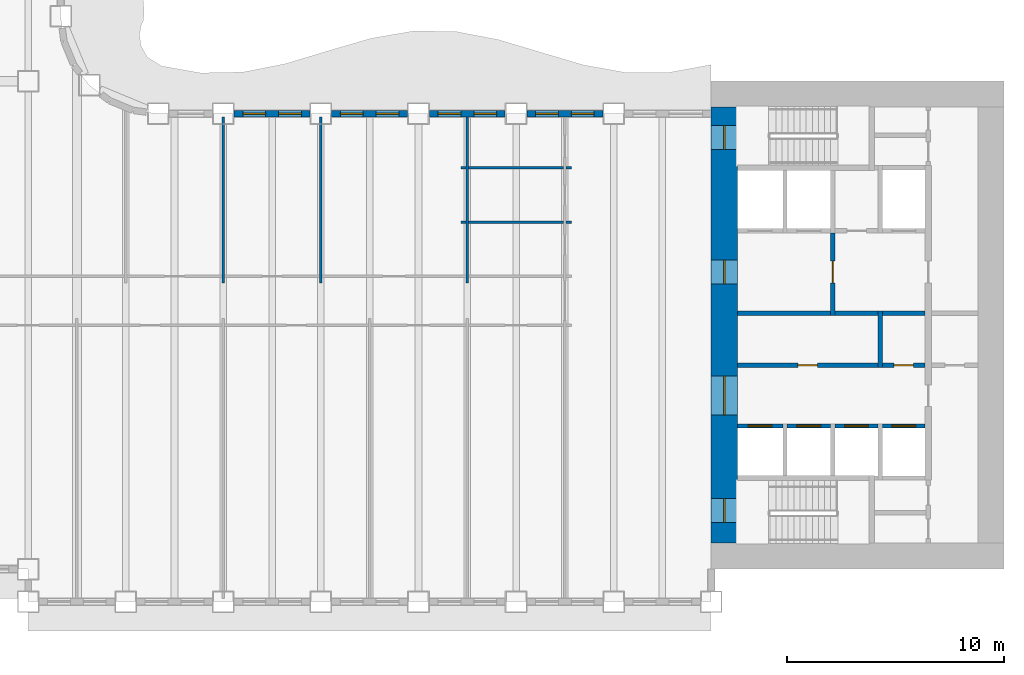
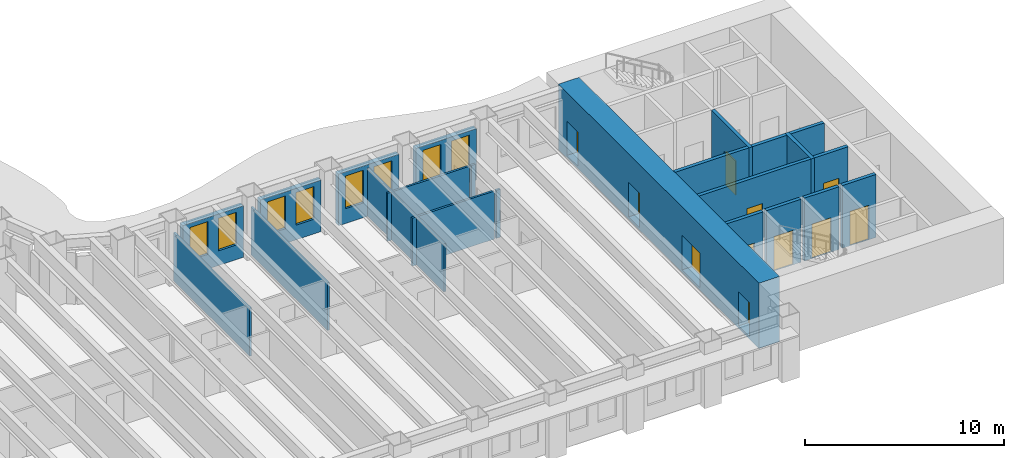
# One storey, part 6 of 16: 25 walls, 11 doors, 8 windows, 19 openings.
"""IFC4 building model written with IfcOpenShell, lengths in metres."""

from ifc_helpers import new_model, si_unit, direction, frame, frame_2d, origin, place, context, subcontext, project, spatial, rectangle, extrude, material, layer, layer_set, type_object, element, fill, save


model = new_model("IFC4")

# Units and contexts
model_context = context("Model", 3, precision=1e-05, world=origin(), true_north=direction((0.0, 1.0)))
body_context = subcontext(model_context, "Body", "Model", "MODEL_VIEW")
ifc_project = project(units=[si_unit("LENGTHUNIT", "METRE"), si_unit("AREAUNIT", "SQUARE_METRE"), si_unit("VOLUMEUNIT", "CUBIC_METRE"), si_unit("PLANEANGLEUNIT", "RADIAN"), si_unit("MASSUNIT", "GRAM", prefix="KILO")], contexts=[model_context])

# Site, building, storey
site_placement = place(None, origin())
site = spatial("IfcSite", under=ifc_project, at=site_placement, CompositionType="ELEMENT")
building_placement = place(site_placement, origin())
building = spatial("IfcBuilding", under=site, at=building_placement, Name="Sennacour Bend Tower", CompositionType="ELEMENT")
storey_placement = place(building_placement, frame((0.0, 0.0, 123.0)))
storey = spatial("IfcBuildingStorey", under=building, at=storey_placement, Name="L28", CompositionType="ELEMENT", Elevation=123.0)

# Wall, openings, doors
ifc_material_1 = material(Name="Concrete C80/95", Category="concrete")
ifc_layer_1 = layer(ifc_material_1, 1.199951171875, Name="Concrete C80/95", Category="concrete")
ifc_layer_set_1 = layer_set([ifc_layer_1], Name="Concrete C80/95")
wall_type_1 = type_object("IfcWallType", Name="Core wall 1200 C80/95", PredefinedType="SHEAR", material=ifc_layer_set_1)
wall_1_placement = place(storey_placement, frame((54.60009765625, 1.199951171875, -0.14990234375), z_axis=(0.0, 0.0, 1.0), x_axis=(0.0, 1.0, 0.0)))
wall_1 = element("IfcWall", 1, at=wall_1_placement, inside=storey, type_object=wall_type_1, Name="Core A wall L28 W", PredefinedType="SHEAR", context=body_context, shape_type="SweptSolid", body=[
    extrude(rectangle(XDim=20.10009765625, YDim=1.199951171875, at=frame_2d((10.050048828125, 0.0))), origin(), (0.0, 0.0, 1.0), 4.0),
])
opening_1_placement = place(wall_1_placement, frame((5.89990234375, 0.0, 0.14990234375)))
opening_1 = element("IfcOpeningElement", 2, at=opening_1_placement, cuts=wall_1, Name="Opening CD", PredefinedType="OPENING", context=body_context, shape_type="SweptSolid", body=[
    extrude(rectangle(XDim=1.800048828125, YDim=2.10009765625, at=frame_2d((0.89990234375, 1.050048828125))), frame((0.0, 0.60986328125, 0.0), z_axis=(0.0, -1.0, 0.0), x_axis=(1.0, 0.0, 0.0)), (0.0, 0.0, 1.0), 1.219970703125),
])
opening_2_placement = place(wall_1_placement, frame((11.949951171875, 0.0, 0.14990234375)))
opening_2 = element("IfcOpeningElement", 3, at=opening_2_placement, cuts=wall_1, Name="Opening FD", PredefinedType="OPENING", context=body_context, shape_type="SweptSolid", body=[
    extrude(rectangle(XDim=1.10009765625, YDim=2.10009765625, at=frame_2d((0.550048828125, 1.050048828125))), frame((0.0, 0.60986328125, 0.0), z_axis=(0.0, -1.0, 0.0), x_axis=(1.0, 0.0, 0.0)), (0.0, 0.0, 1.0), 1.219970703125),
])
opening_3_placement = place(wall_1_placement, frame((0.949951171875, 0.0, 0.14990234375)))
opening_3 = element("IfcOpeningElement", 4, at=opening_3_placement, cuts=wall_1, Name="Opening SD", PredefinedType="OPENING", context=body_context, shape_type="SweptSolid", body=[
    extrude(rectangle(XDim=1.10009765625, YDim=2.10009765625, at=frame_2d((0.550048828125, 1.050048828125))), frame((0.0, 0.60986328125, 0.0), z_axis=(0.0, -1.0, 0.0), x_axis=(1.0, 0.0, 0.0)), (0.0, 0.0, 1.0), 1.219970703125),
])
opening_4_placement = place(wall_1_placement, frame((18.14990234375, 0.0, 0.14990234375)))
opening_4 = element("IfcOpeningElement", 5, at=opening_4_placement, cuts=wall_1, Name="Opening SD", PredefinedType="OPENING", context=body_context, shape_type="SweptSolid", body=[
    extrude(rectangle(XDim=1.10009765625, YDim=2.10009765625, at=frame_2d((0.550048828125, 1.050048828125))), frame((0.0, 0.60986328125, 0.0), z_axis=(0.0, -1.0, 0.0), x_axis=(1.0, 0.0, 0.0)), (0.0, 0.0, 1.0), 1.219970703125),
])
ifc_material_2 = material(Name="Painted steel", Category="steel")
door_type_1 = type_object("IfcDoorType", Name="DR-FFL-1100", OperationType="NOTDEFINED", PredefinedType="DOOR", material=ifc_material_2)
door_1_placement = place(opening_2_placement, origin())
door_1 = element("IfcDoor", 6, at=door_1_placement, inside=storey, type_object=door_type_1, Name="Door", OperationType="SINGLE_SWING_RIGHT", OverallHeight=2.10009765625, OverallWidth=1.10009765625, PredefinedType="DOOR", context=body_context, shape_type="SweptSolid", body=[
    extrude(rectangle(XDim=1.10009765625, YDim=2.10009765625, at=frame_2d((0.550048828125, 1.050048828125))), frame((0.0, 0.02490234375, 0.0), z_axis=(0.0, -1.0, 0.0), x_axis=(1.0, 0.0, 0.0)), (0.0, 0.0, 1.0), 0.050048828125),
])
fill(opening_2, door_1)
door_type_2 = type_object("IfcDoorType", Name="DR-LOBBY-1800", OperationType="NOTDEFINED", PredefinedType="DOOR", material=ifc_material_2)
door_2_placement = place(opening_1_placement, origin())
door_2 = element("IfcDoor", 7, at=door_2_placement, inside=storey, type_object=door_type_2, Name="Door", OperationType="DOUBLE_DOOR_SINGLE_SWING", OverallHeight=2.10009765625, OverallWidth=1.800048828125, PredefinedType="DOOR", context=body_context, shape_type="SweptSolid", body=[
    extrude(rectangle(XDim=1.800048828125, YDim=2.10009765625, at=frame_2d((0.89990234375, 1.050048828125))), frame((0.0, 0.02490234375, 0.0), z_axis=(0.0, -1.0, 0.0), x_axis=(1.0, 0.0, 0.0)), (0.0, 0.0, 1.0), 0.050048828125),
])
fill(opening_1, door_2)
door_type_3 = type_object("IfcDoorType", Name="DR-STAIR-1100", OperationType="NOTDEFINED", PredefinedType="DOOR", material=ifc_material_2)
door_3_placement = place(opening_3_placement, origin())
door_3 = element("IfcDoor", 8, at=door_3_placement, inside=storey, type_object=door_type_3, Name="Door", OperationType="SINGLE_SWING_LEFT", OverallHeight=2.10009765625, OverallWidth=1.10009765625, PredefinedType="DOOR", context=body_context, shape_type="SweptSolid", body=[
    extrude(rectangle(XDim=1.10009765625, YDim=2.10009765625, at=frame_2d((0.550048828125, 1.050048828125))), frame((0.0, 0.02490234375, 0.0), z_axis=(0.0, -1.0, 0.0), x_axis=(1.0, 0.0, 0.0)), (0.0, 0.0, 1.0), 0.050048828125),
])
fill(opening_3, door_3)
door_4_placement = place(opening_4_placement, origin())
door_4 = element("IfcDoor", 9, at=door_4_placement, inside=storey, type_object=door_type_3, Name="Door", OperationType="SINGLE_SWING_RIGHT", OverallHeight=2.10009765625, OverallWidth=1.10009765625, PredefinedType="DOOR", context=body_context, shape_type="SweptSolid", body=[
    extrude(rectangle(XDim=1.10009765625, YDim=2.10009765625, at=frame_2d((0.550048828125, 1.050048828125))), frame((0.0, 0.02490234375, 0.0), z_axis=(0.0, -1.0, 0.0), x_axis=(1.0, 0.0, 0.0)), (0.0, 0.0, 1.0), 0.050048828125),
])
fill(opening_4, door_4)

# Walls
ifc_material_3 = material(Name="Plasterboard partition on steel studs", Category="steel")
ifc_layer_2 = layer(ifc_material_3, 0.1201171875, Name="Plasterboard partition on steel studs", Category="steel")
ifc_layer_set_2 = layer_set([ifc_layer_2], Name="Plasterboard partition on steel studs")
wall_type_2 = type_object("IfcWallType", Name="Partition 120", PredefinedType="PARTITIONING", material=ifc_layer_set_2)
for number, where, z_axis, x_axis, name in (
    (10, (31.5, 13.199951171875, 0.0), (0.0, 0.0, 1.0), (0.0, 1.0, 0.0), "P-L28-W028a"),
    (11, (36.0, 13.199951171875, 0.0), (0.0, 0.0, 1.0), (0.0, 1.0, 0.0), "P-L28-W029a"),
    (12, (42.75, 13.199951171875, 0.0), (0.0, 0.0, 1.0), (0.0, 1.0, 0.0), "P-L28-W032a"),
):
    element("IfcWall", number, at=place(storey_placement, frame(where, z_axis=z_axis, x_axis=x_axis)), inside=storey, type_object=wall_type_2, Name=name, PredefinedType="PARTITIONING", context=body_context, shape_type="SweptSolid", body=[
        extrude(rectangle(XDim=7.650146484375, YDim=0.1201171875, at=frame_2d((3.8251953125, 0.0))), origin(), (0.0, 0.0, 1.0), 2.93798828125),
    ])
wall_2_placement = place(storey_placement, frame((42.449951171875, 16.0, 0.0), z_axis=(0.0, 0.0, 1.0), x_axis=(1.0, 0.0, 0.0)))
element("IfcWall", 13, at=wall_2_placement, inside=storey, type_object=wall_type_2, Name="P-L28-W064aa", PredefinedType="PARTITIONING", context=body_context, shape_type="SweptSolid", body=[
    extrude(rectangle(XDim=0.239990234375, YDim=0.1201171875, at=frame_2d((0.1201171875, 0.0))), origin(), (0.0, 0.0, 1.0), 2.93798828125),
])
wall_3_placement = place(storey_placement, frame((42.81005859375, 16.0, 0.0), z_axis=(0.0, 0.0, 1.0), x_axis=(1.0, 0.0, 0.0)))
element("IfcWall", 14, at=wall_3_placement, inside=storey, type_object=wall_type_2, Name="P-L28-W064ab", PredefinedType="PARTITIONING", context=body_context, shape_type="SweptSolid", body=[
    extrude(rectangle(XDim=4.3798828125, YDim=0.1201171875, at=frame_2d((2.18994140625, 0.0))), origin(), (0.0, 0.0, 1.0), 2.93798828125),
])
for number, where, z_axis, x_axis, name in (
    (15, (47.31005859375, 16.0, 0.0), (0.0, 0.0, 1.0), (1.0, 0.0, 0.0), "P-L28-W064ac"),
    (16, (42.449951171875, 18.5, 0.0), (0.0, 0.0, 1.0), (1.0, 0.0, 0.0), "P-L28-W065aa"),
):
    element("IfcWall", number, at=place(storey_placement, frame(where, z_axis=z_axis, x_axis=x_axis)), inside=storey, type_object=wall_type_2, Name=name, PredefinedType="PARTITIONING", context=body_context, shape_type="SweptSolid", body=[
        extrude(rectangle(XDim=0.239990234375, YDim=0.1201171875, at=frame_2d((0.1201171875, 0.0))), origin(), (0.0, 0.0, 1.0), 2.93798828125),
    ])
wall_4_placement = place(storey_placement, frame((42.81005859375, 18.5, 0.0), z_axis=(0.0, 0.0, 1.0), x_axis=(1.0, 0.0, 0.0)))
element("IfcWall", 17, at=wall_4_placement, inside=storey, type_object=wall_type_2, Name="P-L28-W065ab", PredefinedType="PARTITIONING", context=body_context, shape_type="SweptSolid", body=[
    extrude(rectangle(XDim=4.3798828125, YDim=0.1201171875, at=frame_2d((2.18994140625, 0.0))), origin(), (0.0, 0.0, 1.0), 2.93798828125),
])
wall_5_placement = place(storey_placement, frame((47.31005859375, 18.5, 0.0), z_axis=(0.0, 0.0, 1.0), x_axis=(1.0, 0.0, 0.0)))
element("IfcWall", 18, at=wall_5_placement, inside=storey, type_object=wall_type_2, Name="P-L28-W065ac", PredefinedType="PARTITIONING", context=body_context, shape_type="SweptSolid", body=[
    extrude(rectangle(XDim=0.239990234375, YDim=0.1201171875, at=frame_2d((0.1201171875, 0.0))), origin(), (0.0, 0.0, 1.0), 2.93798828125),
])
ifc_material_4 = material(Name="Fire-rated plasterboard partition on steel studs", Category="steel")
ifc_layer_3 = layer(ifc_material_4, 0.199951171875, Name="Fire-rated plasterboard partition on steel studs", Category="steel")
ifc_layer_set_3 = layer_set([ifc_layer_3], Name="Fire-rated plasterboard partition on steel studs")
wall_type_3 = type_object("IfcWallType", Name="Rated partition 200", PredefinedType="PARTITIONING", material=ifc_layer_set_3)
wall_6_placement = place(storey_placement, frame((61.800048828125, 9.300048828125, 0.0), z_axis=(0.0, 0.0, 1.0), x_axis=(0.0, 1.0, 0.0)))
element("IfcWall", 19, at=wall_6_placement, inside=storey, type_object=wall_type_3, Name="P-L28-W043", PredefinedType="PARTITIONING", context=body_context, shape_type="SweptSolid", body=[
    extrude(rectangle(XDim=2.599853515625, YDim=0.199951171875, at=frame_2d((1.2998046875, 0.0))), origin(), (0.0, 0.0, 1.0), 3.85009765625),
])

# Wall, opening, door
wall_7_placement = place(storey_placement, frame((55.199951171875, 9.39990234375, 0.0), z_axis=(0.0, 0.0, 1.0), x_axis=(1.0, 0.0, 0.0)))
wall_7 = element("IfcWall", 20, at=wall_7_placement, inside=storey, type_object=wall_type_3, Name="P-L28-W057a", PredefinedType="PARTITIONING", context=body_context, shape_type="SweptSolid", body=[
    extrude(rectangle(XDim=6.5, YDim=0.199951171875, at=frame_2d((3.25, 0.0))), origin(), (0.0, 0.0, 1.0), 3.85009765625),
])
opening_5_placement = place(wall_7_placement, frame((2.800048828125, 0.0, 0.0)))
opening_5 = element("IfcOpeningElement", 21, at=opening_5_placement, cuts=wall_7, Name="Opening SV", PredefinedType="OPENING", context=body_context, shape_type="SweptSolid", body=[
    extrude(rectangle(XDim=0.89990234375, YDim=2.10009765625, at=frame_2d((0.449951171875, 1.050048828125))), frame((0.0, 0.10986328125, 0.0), z_axis=(0.0, -1.0, 0.0), x_axis=(1.0, 0.0, 0.0)), (0.0, 0.0, 1.0), 0.219970703125),
])
door_type_4 = type_object("IfcDoorType", Name="DR-SERVICE-900", OperationType="NOTDEFINED", PredefinedType="DOOR", material=ifc_material_2)
door_5_placement = place(opening_5_placement, origin())
door_5 = element("IfcDoor", 22, at=door_5_placement, inside=storey, type_object=door_type_4, Name="Door", OperationType="SINGLE_SWING_LEFT", OverallHeight=2.10009765625, OverallWidth=0.89990234375, PredefinedType="DOOR", context=body_context, shape_type="SweptSolid", body=[
    extrude(rectangle(XDim=0.89990234375, YDim=2.10009765625, at=frame_2d((0.449951171875, 1.050048828125))), frame((0.0, 0.02490234375, 0.0), z_axis=(0.0, -1.0, 0.0), x_axis=(1.0, 0.0, 0.0)), (0.0, 0.0, 1.0), 0.050048828125),
])
fill(opening_5, door_5)

wall_8_placement = place(storey_placement, frame((61.89990234375, 9.39990234375, 0.0), z_axis=(0.0, 0.0, 1.0), x_axis=(1.0, 0.0, 0.0)))
wall_8 = element("IfcWall", 23, at=wall_8_placement, inside=storey, type_object=wall_type_3, Name="P-L28-W057b", PredefinedType="PARTITIONING", context=body_context, shape_type="SweptSolid", body=[
    extrude(rectangle(XDim=1.9501953125, YDim=0.199951171875, at=frame_2d((0.97509765625, 0.0))), origin(), (0.0, 0.0, 1.0), 3.85009765625),
])
opening_6_placement = place(wall_8_placement, frame((0.525146484375, 0.0, 0.0)))
opening_6 = element("IfcOpeningElement", 24, at=opening_6_placement, cuts=wall_8, Name="Opening SV", PredefinedType="OPENING", context=body_context, shape_type="SweptSolid", body=[
    extrude(rectangle(XDim=0.89990234375, YDim=2.10009765625, at=frame_2d((0.449951171875, 1.050048828125))), frame((0.0, 0.10986328125, 0.0), z_axis=(0.0, -1.0, 0.0), x_axis=(1.0, 0.0, 0.0)), (0.0, 0.0, 1.0), 0.219970703125),
])
door_6_placement = place(opening_6_placement, origin())
door_6 = element("IfcDoor", 25, at=door_6_placement, inside=storey, type_object=door_type_4, Name="Door", OperationType="SINGLE_SWING_LEFT", OverallHeight=2.10009765625, OverallWidth=0.89990234375, PredefinedType="DOOR", context=body_context, shape_type="SweptSolid", body=[
    extrude(rectangle(XDim=0.89990234375, YDim=2.10009765625, at=frame_2d((0.449951171875, 1.050048828125))), frame((0.0, 0.02490234375, 0.0), z_axis=(0.0, -1.0, 0.0), x_axis=(1.0, 0.0, 0.0)), (0.0, 0.0, 1.0), 0.050048828125),
])
fill(opening_6, door_6)

# Walls
wall_9_placement = place(storey_placement, frame((55.199951171875, 11.800048828125, 0.0), z_axis=(0.0, 0.0, 1.0), x_axis=(1.0, 0.0, 0.0)))
element("IfcWall", 26, at=wall_9_placement, inside=storey, type_object=wall_type_3, Name="P-L28-W059a", PredefinedType="PARTITIONING", context=body_context, shape_type="SweptSolid", body=[
    extrude(rectangle(XDim=4.300048828125, YDim=0.199951171875, at=frame_2d((2.14990234375, 0.0))), origin(), (0.0, 0.0, 1.0), 3.85009765625),
])
wall_10_placement = place(storey_placement, frame((59.699951171875, 11.800048828125, 0.0), z_axis=(0.0, 0.0, 1.0), x_axis=(1.0, 0.0, 0.0)))
element("IfcWall", 27, at=wall_10_placement, inside=storey, type_object=wall_type_3, Name="P-L28-W059b", PredefinedType="PARTITIONING", context=body_context, shape_type="SweptSolid", body=[
    extrude(rectangle(XDim=2.0, YDim=0.199951171875, at=frame_2d((1.0, 0.0))), origin(), (0.0, 0.0, 1.0), 3.85009765625),
])
wall_11_placement = place(storey_placement, frame((61.89990234375, 11.800048828125, 0.0), z_axis=(0.0, 0.0, 1.0), x_axis=(1.0, 0.0, 0.0)))
element("IfcWall", 28, at=wall_11_placement, inside=storey, type_object=wall_type_3, Name="P-L28-W059c", PredefinedType="PARTITIONING", context=body_context, shape_type="SweptSolid", body=[
    extrude(rectangle(XDim=1.9501953125, YDim=0.199951171875, at=frame_2d((0.97509765625, 0.0))), origin(), (0.0, 0.0, 1.0), 3.85009765625),
])

# Wall, opening, door
ifc_layer_4 = layer(ifc_material_4, 0.199951171875, Name="Fire-rated plasterboard partition on steel studs", Category="steel")
ifc_layer_set_4 = layer_set([ifc_layer_4], Name="Fire-rated plasterboard partition on steel studs")
wall_type_4 = type_object("IfcWallType", Name="Rated partition 200 EI 90", PredefinedType="PARTITIONING", material=ifc_layer_set_4)
wall_12_placement = place(storey_placement, frame((59.60009765625, 11.699951171875, 0.0), z_axis=(0.0, 0.0, 1.0), x_axis=(0.0, 1.0, 0.0)))
wall_12 = element("IfcWall", 29, at=wall_12_placement, inside=storey, type_object=wall_type_4, Name="P-L28-W038", PredefinedType="PARTITIONING", context=body_context, shape_type="SweptSolid", body=[
    extrude(rectangle(XDim=3.800048828125, YDim=0.199951171875, at=frame_2d((1.89990234375, 0.0))), origin(), (0.0, 0.0, 1.0), 3.85009765625),
])
opening_7_placement = place(wall_12_placement, frame((1.5, 0.0, 0.0)))
opening_7 = element("IfcOpeningElement", 30, at=opening_7_placement, cuts=wall_12, Name="Opening FD2", PredefinedType="OPENING", context=body_context, shape_type="SweptSolid", body=[
    extrude(rectangle(XDim=1.0, YDim=2.10009765625, at=frame_2d((0.5, 1.050048828125))), frame((0.0, 0.10986328125, 0.0), z_axis=(0.0, -1.0, 0.0), x_axis=(1.0, 0.0, 0.0)), (0.0, 0.0, 1.0), 0.219970703125),
])
door_type_5 = type_object("IfcDoorType", Name="DR-FFL-1000", OperationType="NOTDEFINED", PredefinedType="DOOR", material=ifc_material_2)
door_7_placement = place(opening_7_placement, origin())
door_7 = element("IfcDoor", 31, at=door_7_placement, inside=storey, type_object=door_type_5, Name="Door", OperationType="SINGLE_SWING_RIGHT", OverallHeight=2.10009765625, OverallWidth=1.0, PredefinedType="DOOR", context=body_context, shape_type="SweptSolid", body=[
    extrude(rectangle(XDim=1.0, YDim=2.10009765625, at=frame_2d((0.5, 1.050048828125))), frame((0.0, 0.02490234375, 0.0), z_axis=(0.0, -1.0, 0.0), x_axis=(1.0, 0.0, 0.0)), (0.0, 0.0, 1.0), 0.050048828125),
])
fill(opening_7, door_7)

# Wall, openings, windows
ifc_material_5 = material(Name="Warm limestone cladding", Category="masonry")
ifc_layer_5 = layer(ifc_material_5, 0.050048828125, Name="Warm limestone cladding", Category="masonry")
ifc_material_6 = material(Name="Precast concrete C40/50", Category="concrete")
ifc_layer_6 = layer(ifc_material_6, 0.25, Name="Precast concrete C40/50", Category="concrete")
ifc_layer_set_5 = layer_set([ifc_layer_5, ifc_layer_6], Name="Precast concrete C40/50 with limestone cladding")
wall_type_5 = type_object("IfcWallType", Name="STONE-CLAD PRECAST SPANDREL 300", PredefinedType="STANDARD", material=ifc_layer_set_5)
wall_13_placement = place(storey_placement, frame((49.0, 21.0, 0.0), z_axis=(0.0, 0.0, 1.0), x_axis=(-1.0, 0.0, 0.0)))
wall_13 = element("IfcWall", 32, at=wall_13_placement, inside=storey, type_object=wall_type_5, Name="Stone spandrel and pier wall L28 06.01", PredefinedType="STANDARD", context=body_context, shape_type="SweptSolid", body=[
    extrude(rectangle(XDim=3.5, YDim=0.300048828125, at=frame_2d((1.75, 0.0))), origin(), (0.0, 0.0, 1.0), 3.154052734375),
])
opening_8_placement = place(wall_13_placement, frame((0.39990234375, 0.0, 0.89990234375)))
opening_8 = element("IfcOpeningElement", 33, at=opening_8_placement, cuts=wall_13, Name="Opening W13", PredefinedType="OPENING", context=body_context, shape_type="SweptSolid", body=[
    extrude(rectangle(XDim=1.050048828125, YDim=2.0, at=frame_2d((0.52490234375, 1.0))), frame((0.0, 0.16015625, 0.0), z_axis=(0.0, -1.0, 0.0), x_axis=(1.0, 0.0, 0.0)), (0.0, 0.0, 1.0), 0.320068359375),
])
opening_9_placement = place(wall_13_placement, frame((2.050048828125, 0.0, 0.89990234375)))
opening_9 = element("IfcOpeningElement", 34, at=opening_9_placement, cuts=wall_13, Name="Opening W13", PredefinedType="OPENING", context=body_context, shape_type="SweptSolid", body=[
    extrude(rectangle(XDim=1.050048828125, YDim=2.0, at=frame_2d((0.52490234375, 1.0))), frame((0.0, 0.16015625, 0.0), z_axis=(0.0, -1.0, 0.0), x_axis=(1.0, 0.0, 0.0)), (0.0, 0.0, 1.0), 0.320068359375),
])
ifc_material_7 = material(Name="Clear low-emissivity glass", Category="glass")
window_type = type_object("IfcWindowType", Name="WIN-RIBBON-1050x2000", PartitioningType="SINGLE_PANEL", PredefinedType="WINDOW", material=ifc_material_7)
window_1_placement = place(opening_8_placement, origin())
window_1 = element("IfcWindow", 35, at=window_1_placement, inside=storey, type_object=window_type, Name="Ribbon window L28 06.01.0", OverallHeight=2.0, OverallWidth=1.050048828125, PartitioningType="SINGLE_PANEL", PredefinedType="WINDOW", context=body_context, shape_type="SweptSolid", body=[
    extrude(rectangle(XDim=1.050048828125, YDim=2.0, at=frame_2d((0.52490234375, 1.0))), frame((0.0, 0.030029296875, 0.0), z_axis=(0.0, -1.0, 0.0), x_axis=(1.0, 0.0, 0.0)), (0.0, 0.0, 1.0), 0.06005859375),
])
fill(opening_8, window_1)
window_2_placement = place(opening_9_placement, origin())
window_2 = element("IfcWindow", 36, at=window_2_placement, inside=storey, type_object=window_type, Name="Ribbon window L28 06.01.1", OverallHeight=2.0, OverallWidth=1.050048828125, PartitioningType="SINGLE_PANEL", PredefinedType="WINDOW", context=body_context, shape_type="SweptSolid", body=[
    extrude(rectangle(XDim=1.050048828125, YDim=2.0, at=frame_2d((0.52490234375, 1.0))), frame((0.0, 0.030029296875, 0.0), z_axis=(0.0, -1.0, 0.0), x_axis=(1.0, 0.0, 0.0)), (0.0, 0.0, 1.0), 0.06005859375),
])
fill(opening_9, window_2)

wall_14_placement = place(storey_placement, frame((44.5, 21.0, 0.0), z_axis=(0.0, 0.0, 1.0), x_axis=(-1.0, 0.0, 0.0)))
wall_14 = element("IfcWall", 37, at=wall_14_placement, inside=storey, type_object=wall_type_5, Name="Stone spandrel and pier wall L28 06.02", PredefinedType="STANDARD", context=body_context, shape_type="SweptSolid", body=[
    extrude(rectangle(XDim=3.5, YDim=0.300048828125, at=frame_2d((1.75, 0.0))), origin(), (0.0, 0.0, 1.0), 3.154052734375),
])
opening_10_placement = place(wall_14_placement, frame((0.39990234375, 0.0, 0.89990234375)))
opening_10 = element("IfcOpeningElement", 38, at=opening_10_placement, cuts=wall_14, Name="Opening W13", PredefinedType="OPENING", context=body_context, shape_type="SweptSolid", body=[
    extrude(rectangle(XDim=1.050048828125, YDim=2.0, at=frame_2d((0.52490234375, 1.0))), frame((0.0, 0.16015625, 0.0), z_axis=(0.0, -1.0, 0.0), x_axis=(1.0, 0.0, 0.0)), (0.0, 0.0, 1.0), 0.320068359375),
])
opening_11_placement = place(wall_14_placement, frame((2.050048828125, 0.0, 0.89990234375)))
opening_11 = element("IfcOpeningElement", 39, at=opening_11_placement, cuts=wall_14, Name="Opening W13", PredefinedType="OPENING", context=body_context, shape_type="SweptSolid", body=[
    extrude(rectangle(XDim=1.050048828125, YDim=2.0, at=frame_2d((0.52490234375, 1.0))), frame((0.0, 0.16015625, 0.0), z_axis=(0.0, -1.0, 0.0), x_axis=(1.0, 0.0, 0.0)), (0.0, 0.0, 1.0), 0.320068359375),
])
window_3_placement = place(opening_10_placement, origin())
window_3 = element("IfcWindow", 40, at=window_3_placement, inside=storey, type_object=window_type, Name="Ribbon window L28 06.02.0", OverallHeight=2.0, OverallWidth=1.050048828125, PartitioningType="SINGLE_PANEL", PredefinedType="WINDOW", context=body_context, shape_type="SweptSolid", body=[
    extrude(rectangle(XDim=1.050048828125, YDim=2.0, at=frame_2d((0.52490234375, 1.0))), frame((0.0, 0.030029296875, 0.0), z_axis=(0.0, -1.0, 0.0), x_axis=(1.0, 0.0, 0.0)), (0.0, 0.0, 1.0), 0.06005859375),
])
fill(opening_10, window_3)
window_4_placement = place(opening_11_placement, origin())
window_4 = element("IfcWindow", 41, at=window_4_placement, inside=storey, type_object=window_type, Name="Ribbon window L28 06.02.1", OverallHeight=2.0, OverallWidth=1.050048828125, PartitioningType="SINGLE_PANEL", PredefinedType="WINDOW", context=body_context, shape_type="SweptSolid", body=[
    extrude(rectangle(XDim=1.050048828125, YDim=2.0, at=frame_2d((0.52490234375, 1.0))), frame((0.0, 0.030029296875, 0.0), z_axis=(0.0, -1.0, 0.0), x_axis=(1.0, 0.0, 0.0)), (0.0, 0.0, 1.0), 0.06005859375),
])
fill(opening_11, window_4)

wall_15_placement = place(storey_placement, frame((40.0, 21.0, 0.0), z_axis=(0.0, 0.0, 1.0), x_axis=(-1.0, 0.0, 0.0)))
wall_15 = element("IfcWall", 42, at=wall_15_placement, inside=storey, type_object=wall_type_5, Name="Stone spandrel and pier wall L28 06.03", PredefinedType="STANDARD", context=body_context, shape_type="SweptSolid", body=[
    extrude(rectangle(XDim=3.5, YDim=0.300048828125, at=frame_2d((1.75, 0.0))), origin(), (0.0, 0.0, 1.0), 3.154052734375),
])
opening_12_placement = place(wall_15_placement, frame((0.39990234375, 0.0, 0.89990234375)))
opening_12 = element("IfcOpeningElement", 43, at=opening_12_placement, cuts=wall_15, Name="Opening W13", PredefinedType="OPENING", context=body_context, shape_type="SweptSolid", body=[
    extrude(rectangle(XDim=1.050048828125, YDim=2.0, at=frame_2d((0.52490234375, 1.0))), frame((0.0, 0.16015625, 0.0), z_axis=(0.0, -1.0, 0.0), x_axis=(1.0, 0.0, 0.0)), (0.0, 0.0, 1.0), 0.320068359375),
])
opening_13_placement = place(wall_15_placement, frame((2.050048828125, 0.0, 0.89990234375)))
opening_13 = element("IfcOpeningElement", 44, at=opening_13_placement, cuts=wall_15, Name="Opening W13", PredefinedType="OPENING", context=body_context, shape_type="SweptSolid", body=[
    extrude(rectangle(XDim=1.050048828125, YDim=2.0, at=frame_2d((0.52490234375, 1.0))), frame((0.0, 0.16015625, 0.0), z_axis=(0.0, -1.0, 0.0), x_axis=(1.0, 0.0, 0.0)), (0.0, 0.0, 1.0), 0.320068359375),
])
window_5_placement = place(opening_12_placement, origin())
window_5 = element("IfcWindow", 45, at=window_5_placement, inside=storey, type_object=window_type, Name="Ribbon window L28 06.03.0", OverallHeight=2.0, OverallWidth=1.050048828125, PartitioningType="SINGLE_PANEL", PredefinedType="WINDOW", context=body_context, shape_type="SweptSolid", body=[
    extrude(rectangle(XDim=1.050048828125, YDim=2.0, at=frame_2d((0.52490234375, 1.0))), frame((0.0, 0.030029296875, 0.0), z_axis=(0.0, -1.0, 0.0), x_axis=(1.0, 0.0, 0.0)), (0.0, 0.0, 1.0), 0.06005859375),
])
fill(opening_12, window_5)
window_6_placement = place(opening_13_placement, origin())
window_6 = element("IfcWindow", 46, at=window_6_placement, inside=storey, type_object=window_type, Name="Ribbon window L28 06.03.1", OverallHeight=2.0, OverallWidth=1.050048828125, PartitioningType="SINGLE_PANEL", PredefinedType="WINDOW", context=body_context, shape_type="SweptSolid", body=[
    extrude(rectangle(XDim=1.050048828125, YDim=2.0, at=frame_2d((0.52490234375, 1.0))), frame((0.0, 0.030029296875, 0.0), z_axis=(0.0, -1.0, 0.0), x_axis=(1.0, 0.0, 0.0)), (0.0, 0.0, 1.0), 0.06005859375),
])
fill(opening_13, window_6)

wall_16_placement = place(storey_placement, frame((35.5, 21.0, 0.0), z_axis=(0.0, 0.0, 1.0), x_axis=(-1.0, 0.0, 0.0)))
wall_16 = element("IfcWall", 47, at=wall_16_placement, inside=storey, type_object=wall_type_5, Name="Stone spandrel and pier wall L28 06.04", PredefinedType="STANDARD", context=body_context, shape_type="SweptSolid", body=[
    extrude(rectangle(XDim=3.5, YDim=0.300048828125, at=frame_2d((1.75, 0.0))), origin(), (0.0, 0.0, 1.0), 3.154052734375),
])
opening_14_placement = place(wall_16_placement, frame((0.39990234375, 0.0, 0.89990234375)))
opening_14 = element("IfcOpeningElement", 48, at=opening_14_placement, cuts=wall_16, Name="Opening W13", PredefinedType="OPENING", context=body_context, shape_type="SweptSolid", body=[
    extrude(rectangle(XDim=1.050048828125, YDim=2.0, at=frame_2d((0.52490234375, 1.0))), frame((0.0, 0.16015625, 0.0), z_axis=(0.0, -1.0, 0.0), x_axis=(1.0, 0.0, 0.0)), (0.0, 0.0, 1.0), 0.320068359375),
])
opening_15_placement = place(wall_16_placement, frame((2.050048828125, 0.0, 0.89990234375)))
opening_15 = element("IfcOpeningElement", 49, at=opening_15_placement, cuts=wall_16, Name="Opening W13", PredefinedType="OPENING", context=body_context, shape_type="SweptSolid", body=[
    extrude(rectangle(XDim=1.050048828125, YDim=2.0, at=frame_2d((0.52490234375, 1.0))), frame((0.0, 0.16015625, 0.0), z_axis=(0.0, -1.0, 0.0), x_axis=(1.0, 0.0, 0.0)), (0.0, 0.0, 1.0), 0.320068359375),
])
window_7_placement = place(opening_14_placement, origin())
window_7 = element("IfcWindow", 50, at=window_7_placement, inside=storey, type_object=window_type, Name="Ribbon window L28 06.04.0", OverallHeight=2.0, OverallWidth=1.050048828125, PartitioningType="SINGLE_PANEL", PredefinedType="WINDOW", context=body_context, shape_type="SweptSolid", body=[
    extrude(rectangle(XDim=1.050048828125, YDim=2.0, at=frame_2d((0.52490234375, 1.0))), frame((0.0, 0.030029296875, 0.0), z_axis=(0.0, -1.0, 0.0), x_axis=(1.0, 0.0, 0.0)), (0.0, 0.0, 1.0), 0.06005859375),
])
fill(opening_14, window_7)
window_8_placement = place(opening_15_placement, origin())
window_8 = element("IfcWindow", 51, at=window_8_placement, inside=storey, type_object=window_type, Name="Ribbon window L28 06.04.1", OverallHeight=2.0, OverallWidth=1.050048828125, PartitioningType="SINGLE_PANEL", PredefinedType="WINDOW", context=body_context, shape_type="SweptSolid", body=[
    extrude(rectangle(XDim=1.050048828125, YDim=2.0, at=frame_2d((0.52490234375, 1.0))), frame((0.0, 0.030029296875, 0.0), z_axis=(0.0, -1.0, 0.0), x_axis=(1.0, 0.0, 0.0)), (0.0, 0.0, 1.0), 0.06005859375),
])
fill(opening_15, window_8)

# Wall, opening, door
ifc_material_8 = material(Name="Concrete C50/60", Category="concrete")
ifc_layer_7 = layer(ifc_material_8, 0.199951171875, Name="Concrete C50/60", Category="concrete")
ifc_layer_set_6 = layer_set([ifc_layer_7], Name="Concrete C50/60")
wall_type_6 = type_object("IfcWallType", Name="Shaft wall 200", PredefinedType="SOLIDWALL", material=ifc_layer_set_6)
wall_17_placement = place(storey_placement, frame((55.199951171875, 6.60009765625, 0.0), z_axis=(0.0, 0.0, 1.0), x_axis=(1.0, 0.0, 0.0)))
wall_17 = element("IfcWall", 52, at=wall_17_placement, inside=storey, type_object=wall_type_6, Name="P-L28-W056a", PredefinedType="SOLIDWALL", context=body_context, shape_type="SweptSolid", body=[
    extrude(rectangle(XDim=2.10009765625, YDim=0.199951171875, at=frame_2d((1.050048828125, 0.0))), origin(), (0.0, 0.0, 1.0), 3.85009765625),
])
opening_16_placement = place(wall_17_placement, frame((0.5, 0.0, 0.011962890625)))
opening_16 = element("IfcOpeningElement", 53, at=opening_16_placement, cuts=wall_17, Name="Opening LD", PredefinedType="OPENING", context=body_context, shape_type="SweptSolid", body=[
    extrude(rectangle(XDim=1.10009765625, YDim=2.10009765625, at=frame_2d((0.550048828125, 1.050048828125))), frame((0.0, 0.10986328125, 0.0), z_axis=(0.0, -1.0, 0.0), x_axis=(1.0, 0.0, 0.0)), (0.0, 0.0, 1.0), 0.219970703125),
])
ifc_material_9 = material(Name="Stainless steel", Category="steel")
door_type_6 = type_object("IfcDoorType", Name="DR-LANDING-1100", OperationType="NOTDEFINED", PredefinedType="DOOR", material=ifc_material_9)
door_8_placement = place(opening_16_placement, origin())
door_8 = element("IfcDoor", 54, at=door_8_placement, inside=storey, type_object=door_type_6, Name="Lift landing door LA1", OperationType="SLIDING_TO_LEFT", OverallHeight=2.10009765625, OverallWidth=1.10009765625, PredefinedType="DOOR", context=body_context, shape_type="SweptSolid", body=[
    extrude(rectangle(XDim=1.10009765625, YDim=2.10009765625, at=frame_2d((0.550048828125, 1.050048828125))), frame((0.0, 0.02490234375, 0.0), z_axis=(0.0, -1.0, 0.0), x_axis=(1.0, 0.0, 0.0)), (0.0, 0.0, 1.0), 0.050048828125),
])
fill(opening_16, door_8)

wall_18_placement = place(storey_placement, frame((57.5, 6.60009765625, 0.0), z_axis=(0.0, 0.0, 1.0), x_axis=(1.0, 0.0, 0.0)))
wall_18 = element("IfcWall", 55, at=wall_18_placement, inside=storey, type_object=wall_type_6, Name="P-L28-W056b", PredefinedType="SOLIDWALL", context=body_context, shape_type="SweptSolid", body=[
    extrude(rectangle(XDim=2.0, YDim=0.199951171875, at=frame_2d((1.0, 0.0))), origin(), (0.0, 0.0, 1.0), 3.85009765625),
])
opening_17_placement = place(wall_18_placement, frame((0.449951171875, 0.0, 0.011962890625)))
opening_17 = element("IfcOpeningElement", 56, at=opening_17_placement, cuts=wall_18, Name="Opening LD", PredefinedType="OPENING", context=body_context, shape_type="SweptSolid", body=[
    extrude(rectangle(XDim=1.10009765625, YDim=2.10009765625, at=frame_2d((0.550048828125, 1.050048828125))), frame((0.0, 0.10986328125, 0.0), z_axis=(0.0, -1.0, 0.0), x_axis=(1.0, 0.0, 0.0)), (0.0, 0.0, 1.0), 0.219970703125),
])
door_9_placement = place(opening_17_placement, origin())
door_9 = element("IfcDoor", 57, at=door_9_placement, inside=storey, type_object=door_type_6, Name="Lift landing door LA2", OperationType="SLIDING_TO_RIGHT", OverallHeight=2.10009765625, OverallWidth=1.10009765625, PredefinedType="DOOR", context=body_context, shape_type="SweptSolid", body=[
    extrude(rectangle(XDim=1.10009765625, YDim=2.10009765625, at=frame_2d((0.550048828125, 1.050048828125))), frame((0.0, 0.02490234375, 0.0), z_axis=(0.0, -1.0, 0.0), x_axis=(1.0, 0.0, 0.0)), (0.0, 0.0, 1.0), 0.050048828125),
])
fill(opening_17, door_9)

wall_19_placement = place(storey_placement, frame((59.699951171875, 6.60009765625, 0.0), z_axis=(0.0, 0.0, 1.0), x_axis=(1.0, 0.0, 0.0)))
wall_19 = element("IfcWall", 58, at=wall_19_placement, inside=storey, type_object=wall_type_6, Name="P-L28-W056c", PredefinedType="SOLIDWALL", context=body_context, shape_type="SweptSolid", body=[
    extrude(rectangle(XDim=2.0, YDim=0.199951171875, at=frame_2d((1.0, 0.0))), origin(), (0.0, 0.0, 1.0), 3.85009765625),
])
opening_18_placement = place(wall_19_placement, frame((0.449951171875, 0.0, 0.011962890625)))
opening_18 = element("IfcOpeningElement", 59, at=opening_18_placement, cuts=wall_19, Name="Opening LD", PredefinedType="OPENING", context=body_context, shape_type="SweptSolid", body=[
    extrude(rectangle(XDim=1.10009765625, YDim=2.10009765625, at=frame_2d((0.550048828125, 1.050048828125))), frame((0.0, 0.10986328125, 0.0), z_axis=(0.0, -1.0, 0.0), x_axis=(1.0, 0.0, 0.0)), (0.0, 0.0, 1.0), 0.219970703125),
])
door_10_placement = place(opening_18_placement, origin())
door_10 = element("IfcDoor", 60, at=door_10_placement, inside=storey, type_object=door_type_6, Name="Lift landing door LA3", OperationType="SLIDING_TO_LEFT", OverallHeight=2.10009765625, OverallWidth=1.10009765625, PredefinedType="DOOR", context=body_context, shape_type="SweptSolid", body=[
    extrude(rectangle(XDim=1.10009765625, YDim=2.10009765625, at=frame_2d((0.550048828125, 1.050048828125))), frame((0.0, 0.02490234375, 0.0), z_axis=(0.0, -1.0, 0.0), x_axis=(1.0, 0.0, 0.0)), (0.0, 0.0, 1.0), 0.050048828125),
])
fill(opening_18, door_10)

wall_20_placement = place(storey_placement, frame((61.89990234375, 6.60009765625, 0.0), z_axis=(0.0, 0.0, 1.0), x_axis=(1.0, 0.0, 0.0)))
wall_20 = element("IfcWall", 61, at=wall_20_placement, inside=storey, type_object=wall_type_6, Name="P-L28-W056d", PredefinedType="SOLIDWALL", context=body_context, shape_type="SweptSolid", body=[
    extrude(rectangle(XDim=1.9501953125, YDim=0.199951171875, at=frame_2d((0.97509765625, 0.0))), origin(), (0.0, 0.0, 1.0), 3.85009765625),
])
opening_19_placement = place(wall_20_placement, frame((0.425048828125, 0.0, 0.011962890625)))
opening_19 = element("IfcOpeningElement", 62, at=opening_19_placement, cuts=wall_20, Name="Opening LD", PredefinedType="OPENING", context=body_context, shape_type="SweptSolid", body=[
    extrude(rectangle(XDim=1.10009765625, YDim=2.10009765625, at=frame_2d((0.550048828125, 1.050048828125))), frame((0.0, 0.10986328125, 0.0), z_axis=(0.0, -1.0, 0.0), x_axis=(1.0, 0.0, 0.0)), (0.0, 0.0, 1.0), 0.219970703125),
])
door_11_placement = place(opening_19_placement, origin())
door_11 = element("IfcDoor", 63, at=door_11_placement, inside=storey, type_object=door_type_6, Name="Lift landing door LA4", OperationType="SLIDING_TO_RIGHT", OverallHeight=2.10009765625, OverallWidth=1.10009765625, PredefinedType="DOOR", context=body_context, shape_type="SweptSolid", body=[
    extrude(rectangle(XDim=1.10009765625, YDim=2.10009765625, at=frame_2d((0.550048828125, 1.050048828125))), frame((0.0, 0.02490234375, 0.0), z_axis=(0.0, -1.0, 0.0), x_axis=(1.0, 0.0, 0.0)), (0.0, 0.0, 1.0), 0.050048828125),
])
fill(opening_19, door_11)

save(model, "model.ifc")
